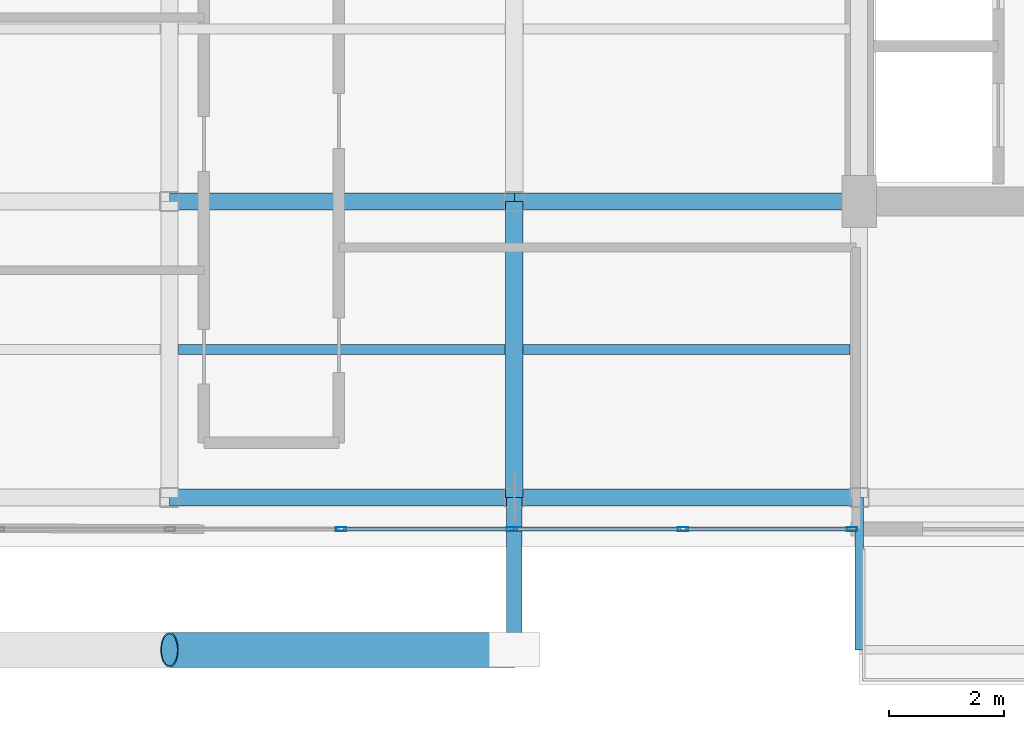
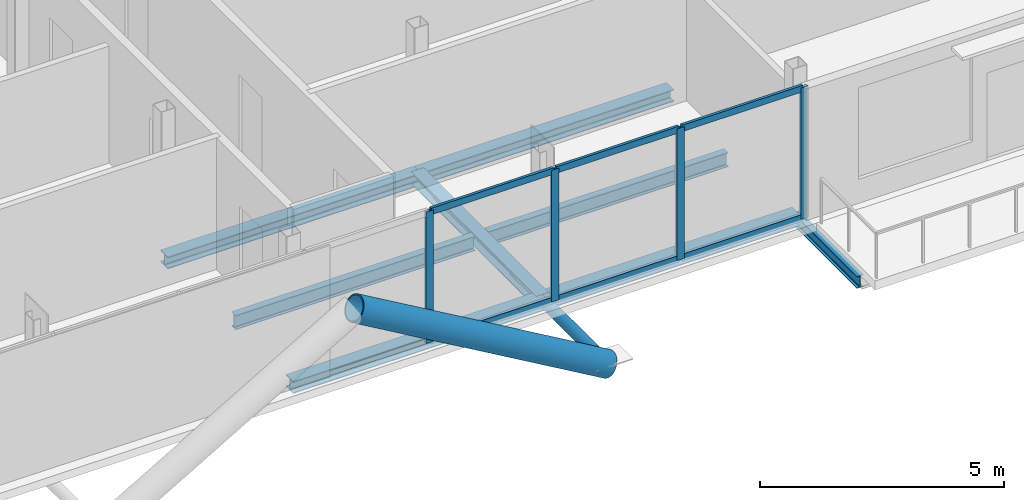
# One storey, part 5 of 19: 12 members, 8 beams, 1 element without a shape of its own.
"""IFC4 building model written with IfcOpenShell, lengths in metres."""

from ifc_helpers import new_model, si_unit, direction, frame, origin, origin_2d, place, context, subcontext, project, spatial, hollow_rectangle, hollow_circle, i_section, extrude, material, layer, layer_set, material_profile, profile_set, type_object, element, aggregate, save


model = new_model("IFC4")

# Units and contexts
model_context = context("Model", 3, precision=1e-05, world=origin(), true_north=direction((0.0, 1.0)))
body_context = subcontext(model_context, "Body", "Model", "MODEL_VIEW")
ifc_project = project(units=[si_unit("LENGTHUNIT", "METRE"), si_unit("AREAUNIT", "SQUARE_METRE"), si_unit("VOLUMEUNIT", "CUBIC_METRE"), si_unit("PLANEANGLEUNIT", "RADIAN"), si_unit("MASSUNIT", "GRAM", prefix="KILO"), si_unit("THERMODYNAMICTEMPERATUREUNIT", "KELVIN"), si_unit("POWERUNIT", "WATT")], contexts=[model_context])

# Site, building, storey
site_placement = place(None, origin())
site = spatial("IfcSite", under=ifc_project, at=site_placement, CompositionType="ELEMENT")
building_placement = place(site_placement, origin())
building = spatial("IfcBuilding", under=site, at=building_placement, Name="Svarakhadi Broadcast Tower", CompositionType="ELEMENT")
storey_placement = place(building_placement, frame((0.0, 0.0, 271.199951171875)))
storey = spatial("IfcBuildingStorey", under=building, at=storey_placement, Name="L68", CompositionType="ELEMENT", Elevation=271.199951171875)

# Beams
ifc_material_1 = material(Name="Steel S355J2 (IS 2062 E350C)", Category="steel")
ifc_material_profile_1 = material_profile(ifc_material_1, i_section(OverallWidth=0.169921875, OverallDepth=0.360107421875, WebThickness=0.008056640625, FlangeThickness=0.0126953125, FilletRadius=0.01806640625, at=origin_2d()), Name="NPB 360x170x57")
ifc_profile_set_1 = profile_set([ifc_material_profile_1], Name="Steel S355J2 (IS 2062 E350C)")
beam_type_1 = type_object("IfcBeamType", Name="Beam_NPB360", PredefinedType="BEAM", material=ifc_profile_set_1)
for number, where, z_axis, x_axis, name in (
    (1, (12.159912109375, 3.425048828125, -0.3798828125), (1.0, 0.0, 0.0), (0.0, 1.0, 0.0), "L68 Secondary Composite Beam SB007"),
    (2, (18.159912109375, 3.425048828125, -0.3798828125), (1.0, 0.0, 0.0), (0.0, 1.0, 0.0), "L68 Secondary Composite Beam SB010"),
):
    element("IfcBeam", number, at=place(storey_placement, frame(where, z_axis=z_axis, x_axis=x_axis)), inside=storey, type_object=beam_type_1, Name=name, PredefinedType="BEAM", context=body_context, shape_type="SweptSolid", body=[
        extrude(i_section(OverallWidth=0.169921875, OverallDepth=0.360107421875, WebThickness=0.008056640625, FlangeThickness=0.0126953125, FilletRadius=0.01806640625, at=origin_2d()), origin(), (0.0, 0.0, 1.0), 5.68017578125),
    ])

# Curtain wall, members
ifc_material_2 = material(Name="Anodised Bronze Aluminium AA 6063-T6", Category="aluminium")
ifc_layer = layer(ifc_material_2, 0.179931640625)
ifc_layer_set = layer_set([ifc_layer], Name="Anodised Bronze Aluminium AA 6063-T6")
curtain_wall_type = type_object("IfcCurtainWallType", Name="CW_Sys_05", PredefinedType="NOTDEFINED", material=ifc_layer_set)
curtain_wall_placement = place(storey_placement, origin())
curtain_wall = element("IfcCurtainWall", 3, at=curtain_wall_placement, inside=storey, type_object=curtain_wall_type, Name="L68 South Curtain Wall 15", PredefinedType="NOTDEFINED")
ifc_material_profile_2 = material_profile(ifc_material_2, hollow_rectangle(XDim=0.070068359375, YDim=0.179931640625, WallThickness=0.005615234375, at=origin_2d()), Name="ALU MULLION 180x70x6")
ifc_profile_set_2 = profile_set([ifc_material_profile_2], Name="Anodised Bronze Aluminium AA 6063-T6")
member_type_1 = type_object("IfcMemberType", Name="CW_Sys_05_Mul", PredefinedType="MULLION", material=ifc_profile_set_2)
member_1_placement = place(storey_placement, frame((23.875, 0.300048828125, 0.0), z_axis=(0.0, 0.0, 1.0), x_axis=(0.0, -1.0, 0.0)))
member_1 = element("IfcMember", 4, at=member_1_placement, type_object=member_type_1, Name="CW-05 mullion 1", PredefinedType="MULLION", context=body_context, shape_type="SweptSolid", body=[
    extrude(hollow_rectangle(XDim=0.070068359375, YDim=0.179931640625, WallThickness=0.005615234375, at=origin_2d()), origin(), (0.0, 0.0, 1.0), 3.300048828125),
])
member_2_placement = place(storey_placement, frame((20.935791015625, 0.300048828125, 0.0), z_axis=(0.0, 0.0, 1.0), x_axis=(0.0, -1.0, 0.0)))
member_2 = element("IfcMember", 5, at=member_2_placement, type_object=member_type_1, Name="CW-05 mullion 2", PredefinedType="MULLION", context=body_context, shape_type="SweptSolid", body=[
    extrude(hollow_rectangle(XDim=0.070068359375, YDim=0.179931640625, WallThickness=0.005615234375, at=origin_2d()), origin(), (0.0, 0.0, 1.0), 3.300048828125),
])
member_3_placement = place(storey_placement, frame((17.96142578125, 0.300048828125, 0.0), z_axis=(0.0, 0.0, 1.0), x_axis=(0.0, -1.0, 0.0)))
member_3 = element("IfcMember", 6, at=member_3_placement, type_object=member_type_1, Name="CW-05 mullion 3", PredefinedType="MULLION", context=body_context, shape_type="SweptSolid", body=[
    extrude(hollow_rectangle(XDim=0.070068359375, YDim=0.179931640625, WallThickness=0.005615234375, at=origin_2d()), origin(), (0.0, 0.0, 1.0), 3.300048828125),
])
member_4_placement = place(storey_placement, frame((14.987060546875, 0.300048828125, 0.0), z_axis=(0.0, 0.0, 1.0), x_axis=(0.0, -1.0, 0.0)))
member_4 = element("IfcMember", 7, at=member_4_placement, type_object=member_type_1, Name="CW-05 mullion 4", PredefinedType="MULLION", context=body_context, shape_type="SweptSolid", body=[
    extrude(hollow_rectangle(XDim=0.070068359375, YDim=0.179931640625, WallThickness=0.005615234375, at=origin_2d()), origin(), (0.0, 0.0, 1.0), 3.300048828125),
])
ifc_material_profile_3 = material_profile(ifc_material_2, hollow_rectangle(XDim=0.06494140625, YDim=0.1650390625, WallThickness=0.0048828125, at=origin_2d()), Name="ALU TRANSOM 165x65x5")
ifc_profile_set_3 = profile_set([ifc_material_profile_3], Name="Anodised Bronze Aluminium AA 6063-T6")
member_type_2 = type_object("IfcMemberType", Name="CW_Sys_05_Trn", PredefinedType="USERDEFINED", material=ifc_profile_set_3)
member_5_placement = place(storey_placement, frame((23.840087890625, 0.300048828125, 0.032470703125), z_axis=(-1.0, 0.0, 0.0), x_axis=(0.0, -1.0, 0.0)))
member_5 = element("IfcMember", 8, at=member_5_placement, type_object=member_type_2, Name="CW-05 transom 1.1", ObjectType="TRANSOM", PredefinedType="USERDEFINED", context=body_context, shape_type="SweptSolid", body=[
    extrude(hollow_rectangle(XDim=0.06494140625, YDim=0.1650390625, WallThickness=0.0048828125, at=origin_2d()), origin(), (0.0, 0.0, 1.0), 2.869384765625),
])
member_6_placement = place(storey_placement, frame((23.840087890625, 0.300048828125, 3.267578125), z_axis=(-1.0, 0.0, 0.0), x_axis=(0.0, -1.0, 0.0)))
member_6 = element("IfcMember", 9, at=member_6_placement, type_object=member_type_2, Name="CW-05 transom 1.2", ObjectType="TRANSOM", PredefinedType="USERDEFINED", context=body_context, shape_type="SweptSolid", body=[
    extrude(hollow_rectangle(XDim=0.06494140625, YDim=0.1650390625, WallThickness=0.0048828125, at=origin_2d()), origin(), (0.0, 0.0, 1.0), 2.869384765625),
])
member_7_placement = place(storey_placement, frame((20.900634765625, 0.300048828125, 0.032470703125), z_axis=(-1.0, 0.0, 0.0), x_axis=(0.0, -1.0, 0.0)))
member_7 = element("IfcMember", 10, at=member_7_placement, type_object=member_type_2, Name="CW-05 transom 2.1", ObjectType="TRANSOM", PredefinedType="USERDEFINED", context=body_context, shape_type="SweptSolid", body=[
    extrude(hollow_rectangle(XDim=0.06494140625, YDim=0.1650390625, WallThickness=0.0048828125, at=origin_2d()), origin(), (0.0, 0.0, 1.0), 2.904296875),
])
member_8_placement = place(storey_placement, frame((20.900634765625, 0.300048828125, 3.267578125), z_axis=(-1.0, 0.0, 0.0), x_axis=(0.0, -1.0, 0.0)))
member_8 = element("IfcMember", 11, at=member_8_placement, type_object=member_type_2, Name="CW-05 transom 2.2", ObjectType="TRANSOM", PredefinedType="USERDEFINED", context=body_context, shape_type="SweptSolid", body=[
    extrude(hollow_rectangle(XDim=0.06494140625, YDim=0.1650390625, WallThickness=0.0048828125, at=origin_2d()), origin(), (0.0, 0.0, 1.0), 2.904296875),
])
member_9_placement = place(storey_placement, frame((17.926513671875, 0.300048828125, 0.032470703125), z_axis=(-1.0, 0.0, 0.0), x_axis=(0.0, -1.0, 0.0)))
member_9 = element("IfcMember", 12, at=member_9_placement, type_object=member_type_2, Name="CW-05 transom 3.1", ObjectType="TRANSOM", PredefinedType="USERDEFINED", context=body_context, shape_type="SweptSolid", body=[
    extrude(hollow_rectangle(XDim=0.06494140625, YDim=0.1650390625, WallThickness=0.0048828125, at=origin_2d()), origin(), (0.0, 0.0, 1.0), 2.904296875),
])
member_10_placement = place(storey_placement, frame((17.926513671875, 0.300048828125, 3.267578125), z_axis=(-1.0, 0.0, 0.0), x_axis=(0.0, -1.0, 0.0)))
member_10 = element("IfcMember", 13, at=member_10_placement, type_object=member_type_2, Name="CW-05 transom 3.2", ObjectType="TRANSOM", PredefinedType="USERDEFINED", context=body_context, shape_type="SweptSolid", body=[
    extrude(hollow_rectangle(XDim=0.06494140625, YDim=0.1650390625, WallThickness=0.0048828125, at=origin_2d()), origin(), (0.0, 0.0, 1.0), 2.904296875),
])
aggregate(curtain_wall, [member_1, member_2, member_3, member_4, member_5, member_6, member_7, member_8, member_9, member_10])

# Members
ifc_material_3 = material(Name="Steel S460ML (IS 2062 E450BR)", Category="steel")
ifc_material_profile_4 = material_profile(ifc_material_3, hollow_circle(Radius=0.304931640625, WallThickness=0.030029296875, at=origin_2d()), Name="CHS 610x30")
ifc_profile_set_4 = profile_set([ifc_material_profile_4], Name="Steel S460ML (IS 2062 E450BR)")
member_type_3 = type_object("IfcMemberType", Name="Exo_Brace_CHS610", PredefinedType="BRACE", material=ifc_profile_set_4)
member_11_placement = place(storey_placement, frame((18.0, -1.800048828125, -0.33642578125), z_axis=(-0.863778900898, 0.0, 0.503871025524), x_axis=(0.0, -1.0, 0.0)))
element("IfcMember", 14, at=member_11_placement, inside=storey, type_object=member_type_3, Name="L68 Exposed Bronze Exoskeleton Diagonal S02", PredefinedType="BRACE", context=body_context, shape_type="SweptSolid", body=[
    extrude(hollow_circle(Radius=0.304931640625, WallThickness=0.030029296875, at=origin_2d()), origin(), (0.0, 0.0, 1.0), 6.9462890625),
])
ifc_material_profile_5 = material_profile(ifc_material_3, hollow_circle(Radius=0.136474609375, WallThickness=0.012451171875, at=origin_2d()), Name="CHS 273x12.5")
ifc_profile_set_5 = profile_set([ifc_material_profile_5], Name="Steel S460ML (IS 2062 E450BR)")
member_type_4 = type_object("IfcMemberType", Name="Exo_Radial_Strut_Z3", PredefinedType="STRUT", material=ifc_profile_set_5)
member_12_placement = place(storey_placement, frame((18.0, -1.800048828125, -0.33642578125), z_axis=(0.0, 1.0, 0.0), x_axis=(-1.0, 0.0, 0.0)))
element("IfcMember", 15, at=member_12_placement, inside=storey, type_object=member_type_4, Name="L68 Exoskeleton Radial Tie Strut S02", PredefinedType="STRUT", context=body_context, shape_type="SweptSolid", body=[
    extrude(hollow_circle(Radius=0.136474609375, WallThickness=0.012451171875, at=origin_2d()), origin(), (0.0, 0.0, 1.0), 2.650146484375),
])

# Beams
ifc_material_profile_6 = material_profile(ifc_material_1, i_section(OverallWidth=0.300048828125, OverallDepth=0.300048828125, WebThickness=0.010986328125, FlangeThickness=0.01904296875, FilletRadius=0.027099609375, at=origin_2d()), Name="WPB 300x300x117")
ifc_profile_set_6 = profile_set([ifc_material_profile_6], Name="Steel S355J2 (IS 2062 E350C)")
beam_type_2 = type_object("IfcBeamType", Name="Girder_WPB300", PredefinedType="USERDEFINED", material=ifc_profile_set_6)
for number, where, z_axis, x_axis, name in (
    (16, (12.0, 0.85009765625, -0.349853515625), (1.0, 0.0, 0.0), (0.0, 1.0, 0.0), "L68 Primary E-W Girder G005"),
    (17, (18.0, 0.85009765625, -0.349853515625), (1.0, 0.0, 0.0), (0.0, 1.0, 0.0), "L68 Primary E-W Girder G006"),
    (18, (12.0, 6.0, -0.349853515625), (1.0, 0.0, 0.0), (0.0, 1.0, 0.0), "L68 Primary E-W Girder G010"),
    (19, (18.0, 6.0, -0.349853515625), (1.0, 0.0, 0.0), (0.0, 1.0, 0.0), "L68 Primary E-W Girder G011"),
):
    element("IfcBeam", number, at=place(storey_placement, frame(where, z_axis=z_axis, x_axis=x_axis)), inside=storey, type_object=beam_type_2, Name=name, ObjectType="GIRDER", PredefinedType="USERDEFINED", context=body_context, shape_type="SweptSolid", body=[
        extrude(i_section(OverallWidth=0.300048828125, OverallDepth=0.300048828125, WebThickness=0.010986328125, FlangeThickness=0.01904296875, FilletRadius=0.027099609375, at=origin_2d()), origin(), (0.0, 0.0, 1.0), 6.0),
    ])
beam_1_placement = place(storey_placement, frame((18.0, 0.85009765625, -0.349853515625), z_axis=(0.0, 1.0, 0.0), x_axis=(-1.0, 0.0, 0.0)))
element("IfcBeam", 20, at=beam_1_placement, inside=storey, type_object=beam_type_2, Name="L68 Primary N-S Girder G036", ObjectType="GIRDER", PredefinedType="USERDEFINED", context=body_context, shape_type="SweptSolid", body=[
    extrude(i_section(OverallWidth=0.300048828125, OverallDepth=0.300048828125, WebThickness=0.010986328125, FlangeThickness=0.01904296875, FilletRadius=0.027099609375, at=origin_2d()), origin(), (0.0, 0.0, 1.0), 5.14990234375),
])
ifc_material_profile_7 = material_profile(ifc_material_1, i_section(OverallWidth=0.14990234375, OverallDepth=0.300048828125, WebThickness=0.007080078125, FlangeThickness=0.0107421875, FilletRadius=0.014892578125, at=origin_2d()), Name="NPB 300x150x37")
ifc_profile_set_7 = profile_set([ifc_material_profile_7], Name="Steel S355J2 (IS 2062 E350C)")
beam_type_3 = type_object("IfcBeamType", Name="Spandrel_NPB300", PredefinedType="SPANDREL", material=ifc_profile_set_7)
beam_2_placement = place(storey_placement, frame((24.0, 0.85009765625, -0.375), z_axis=(0.0, -1.0, 0.0), x_axis=(1.0, 0.0, 0.0)))
element("IfcBeam", 21, at=beam_2_placement, inside=storey, type_object=beam_type_3, Name="L68 Balcony Cantilever Bracket 1A", PredefinedType="SPANDREL", context=body_context, shape_type="SweptSolid", body=[
    extrude(i_section(OverallWidth=0.14990234375, OverallDepth=0.300048828125, WebThickness=0.007080078125, FlangeThickness=0.0107421875, FilletRadius=0.014892578125, at=origin_2d()), origin(), (0.0, 0.0, 1.0), 2.650146484375),
])

save(model, "model.ifc")
